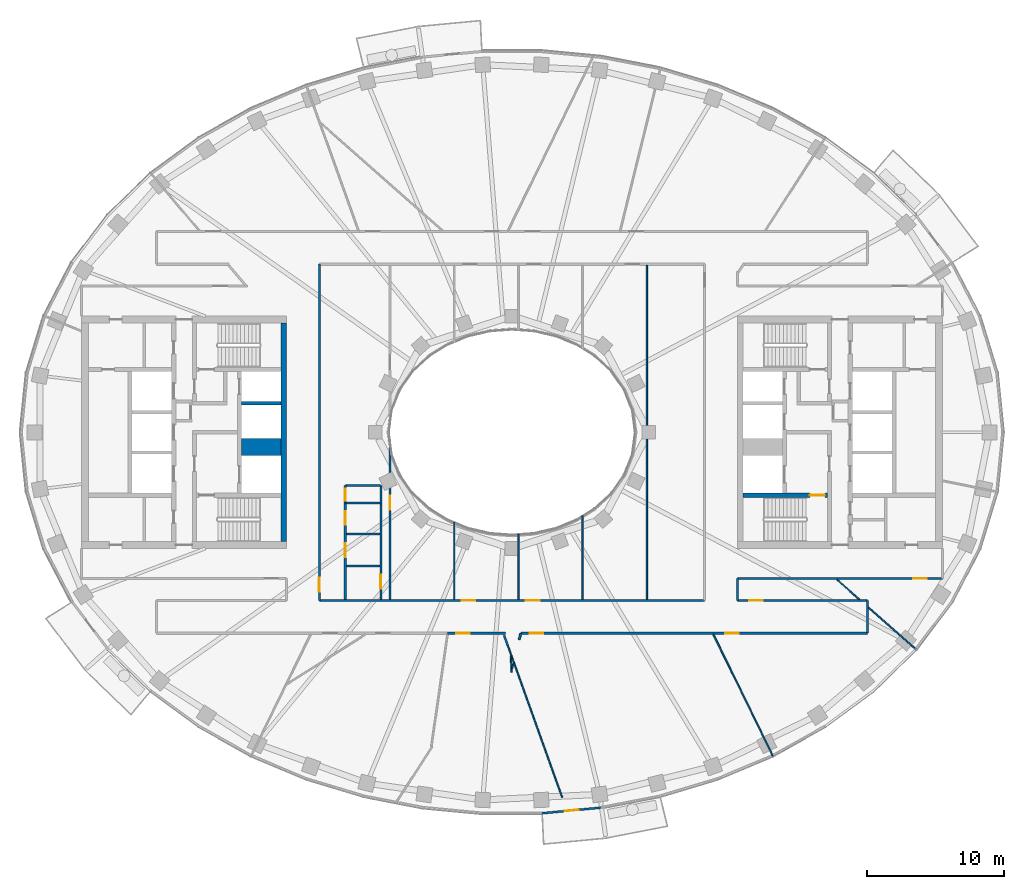
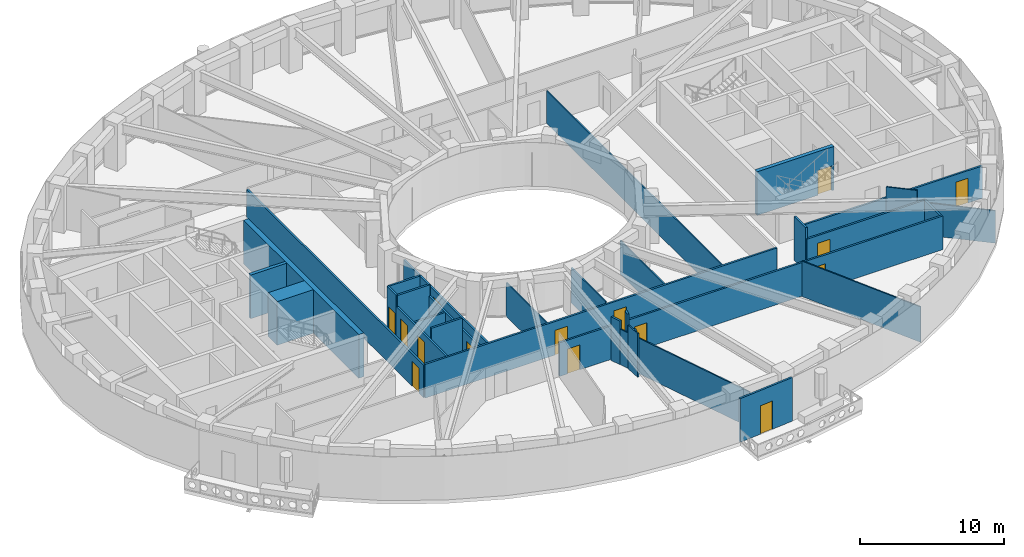
# One storey, part 4 of 16: 34 walls, 15 doors, 15 openings.
"""IFC4 building model written with IfcOpenShell, lengths in metres."""

from ifc_helpers import new_model, si_unit, direction, frame, frame_2d, origin, place, context, subcontext, project, spatial, rectangle, extrude, material, layer, layer_set, type_object, element, fill, save


model = new_model("IFC4")

# Units and contexts
model_context = context("Model", 3, precision=1e-05, world=origin(), true_north=direction((0.0, 1.0)))
body_context = subcontext(model_context, "Body", "Model", "MODEL_VIEW")
ifc_project = project(units=[si_unit("LENGTHUNIT", "METRE"), si_unit("AREAUNIT", "SQUARE_METRE"), si_unit("VOLUMEUNIT", "CUBIC_METRE"), si_unit("PLANEANGLEUNIT", "RADIAN"), si_unit("MASSUNIT", "GRAM", prefix="KILO")], contexts=[model_context])

# Site, building, storey
site_placement = place(None, origin())
site = spatial("IfcSite", under=ifc_project, at=site_placement, CompositionType="ELEMENT")
building_placement = place(site_placement, origin())
building = spatial("IfcBuilding", under=site, at=building_placement, Name="Noorbagh Ring Tower", CompositionType="ELEMENT")
storey_placement = place(building_placement, frame((0.0, 0.0, 245.5)))
storey = spatial("IfcBuildingStorey", under=building, at=storey_placement, Name="L51", CompositionType="ELEMENT", Elevation=245.5)

# Wall, opening, door
ifc_material_1 = material(Name="Gypsum board on steel studs", Category="steel")
ifc_layer_1 = layer(ifc_material_1, 0.14990234375)
ifc_layer_set_1 = layer_set([ifc_layer_1], Name="Gypsum board on steel studs")
wall_type_1 = type_object("IfcWallType", Name="COMPARTMENT PARTITION 150 EI 60", PredefinedType="PARTITIONING", material=ifc_layer_set_1)
wall_1_placement = place(storey_placement, frame((-12.199951171875, -5.159912109375, 0.0), z_axis=(0.0, 0.0, 1.0), x_axis=(0.0, 1.0, 0.0)))
wall_1 = element("IfcWall", 1, at=wall_1_placement, inside=storey, type_object=wall_type_1, Name="L51/wall/P25", PredefinedType="PARTITIONING", context=body_context, shape_type="SweptSolid", body=[
    extrude(rectangle(XDim=1.260009765625, YDim=0.14990234375, at=frame_2d((0.6298828125, 0.0))), origin(), (0.0, 0.0, 1.0), 3.699951171875),
])
opening_1_placement = place(wall_1_placement, frame((0.14990234375, 0.0, 0.0)))
opening_1 = element("IfcOpeningElement", 2, at=opening_1_placement, cuts=wall_1, Name="Opening D4", PredefinedType="OPENING", context=body_context, shape_type="SweptSolid", body=[
    extrude(rectangle(XDim=0.89990234375, YDim=2.10009765625, at=frame_2d((0.449951171875, 1.050048828125))), frame((0.0, 0.0849609375, 0.0), z_axis=(0.0, -1.0, 0.0), x_axis=(1.0, 0.0, 0.0)), (0.0, 0.0, 1.0), 0.169921875),
])
ifc_material_2 = material(Name="Timber, painted", Category="wood")
door_type_1 = type_object("IfcDoorType", Name="DOOR 900 X 2100 FD60", OperationType="SINGLE_SWING_LEFT", PredefinedType="DOOR", material=ifc_material_2)
door_1_placement = place(opening_1_placement, origin())
door_1 = element("IfcDoor", 3, at=door_1_placement, inside=storey, type_object=door_type_1, Name="L51-D05", OperationType="SINGLE_SWING_LEFT", OverallHeight=2.10009765625, OverallWidth=0.89990234375, PredefinedType="DOOR", context=body_context, shape_type="SweptSolid", body=[
    extrude(rectangle(XDim=0.89990234375, YDim=2.10009765625, at=frame_2d((0.449951171875, 1.050048828125))), frame((0.0, 0.02490234375, 0.0), z_axis=(0.0, -1.0, 0.0), x_axis=(1.0, 0.0, 0.0)), (0.0, 0.0, 1.0), 0.050048828125),
])
fill(opening_1, door_1)

# Walls
wall_2_placement = place(storey_placement, frame((-12.199951171875, -5.159912109375, 0.0), z_axis=(0.0, 0.0, 1.0), x_axis=(1.0, 0.0, 0.0)))
element("IfcWall", 4, at=wall_2_placement, inside=storey, type_object=wall_type_1, Name="L51/wall/P26", PredefinedType="PARTITIONING", context=body_context, shape_type="SweptSolid", body=[
    extrude(rectangle(XDim=2.599853515625, YDim=0.14990234375, at=frame_2d((1.2998046875, 0.0))), origin(), (0.0, 0.0, 1.0), 3.699951171875),
])
wall_3_placement = place(storey_placement, frame((-12.199951171875, -3.89990234375, 0.0), z_axis=(0.0, 0.0, 1.0), x_axis=(1.0, 0.0, 0.0)))
element("IfcWall", 5, at=wall_3_placement, inside=storey, type_object=wall_type_1, Name="L51/wall/P27", PredefinedType="PARTITIONING", context=body_context, shape_type="SweptSolid", body=[
    extrude(rectangle(XDim=2.595947265625, YDim=0.14990234375, at=frame_2d((1.2978515625, 0.0))), origin(), (0.0, 0.0, 1.0), 3.699951171875),
])
wall_4_placement = place(storey_placement, frame((-9.60009765625, -5.159912109375, 0.0), z_axis=(0.0, 0.0, 1.0), x_axis=(0.0, 1.0, 0.0)))
element("IfcWall", 6, at=wall_4_placement, inside=storey, type_object=wall_type_1, Name="L51/wall/P30", PredefinedType="PARTITIONING", context=body_context, shape_type="SweptSolid", body=[
    extrude(rectangle(XDim=1.255859375, YDim=0.14990234375, at=frame_2d((0.6279296875, 0.0))), origin(), (0.0, 0.0, 1.0), 3.699951171875),
])
ifc_material_3 = material(Name="Concrete C60/75", Category="concrete")
ifc_layer_2 = layer(ifc_material_3, 1.25)
ifc_layer_set_2 = layer_set([ifc_layer_2], Name="Concrete C60/75")
wall_type_2 = type_object("IfcWallType", Name="CORE-WALL-1250-C60-75-EI120", PredefinedType="SHEAR", material=ifc_layer_set_2)
wall_5_placement = place(storey_placement, frame((-16.89990234375, -1.074951171875, 0.0), z_axis=(0.0, 0.0, 1.0), x_axis=(-1.0, 0.0, 0.0)))
element("IfcWall", 7, at=wall_5_placement, inside=storey, type_object=wall_type_2, Name="Core wall W", PredefinedType="SHEAR", context=body_context, shape_type="SweptSolid", body=[
    extrude(rectangle(XDim=2.900146484375, YDim=1.25, at=frame_2d((1.4501953125, 0.0))), origin(), (0.0, 0.0, 1.0), 3.699951171875),
])
ifc_material_4 = material(Name="Concrete C60/75", Category="concrete")
ifc_layer_3 = layer(ifc_material_4, 0.25)
ifc_layer_set_3 = layer_set([ifc_layer_3], Name="Concrete C60/75")
wall_type_3 = type_object("IfcWallType", Name="CORE-WALL-250-C60-75-EI120", PredefinedType="SHEAR", material=ifc_layer_set_3)
wall_6_placement = place(storey_placement, frame((-16.89990234375, 2.125, 0.0), z_axis=(0.0, 0.0, 1.0), x_axis=(-1.0, 0.0, 0.0)))
element("IfcWall", 8, at=wall_6_placement, inside=storey, type_object=wall_type_3, Name="Core wall W", PredefinedType="SHEAR", context=body_context, shape_type="SweptSolid", body=[
    extrude(rectangle(XDim=2.900146484375, YDim=0.25, at=frame_2d((1.4501953125, 0.0))), origin(), (0.0, 0.0, 1.0), 3.699951171875),
])

# Wall, opening, door
ifc_material_5 = material(Name="Concrete C60/75", Category="concrete")
ifc_layer_4 = layer(ifc_material_5, 0.300048828125)
ifc_layer_set_4 = layer_set([ifc_layer_4], Name="Concrete C60/75")
wall_type_4 = type_object("IfcWallType", Name="CORE-WALL-300-C60-75-EI240", PredefinedType="SHEAR", material=ifc_layer_set_4)
wall_7_placement = place(storey_placement, frame((16.89990234375, -4.60009765625, 0.0), z_axis=(0.0, 0.0, 1.0), x_axis=(1.0, 0.0, 0.0)))
wall_7 = element("IfcWall", 9, at=wall_7_placement, inside=storey, type_object=wall_type_4, Name="Core wall E", PredefinedType="SHEAR", context=body_context, shape_type="SweptSolid", body=[
    extrude(rectangle(XDim=6.18017578125, YDim=0.300048828125, at=frame_2d((3.090087890625, 0.0))), origin(), (0.0, 0.0, 1.0), 3.699951171875),
])
opening_2_placement = place(wall_7_placement, frame((4.89990234375, 0.0, 0.0)))
opening_2 = element("IfcOpeningElement", 10, at=opening_2_placement, cuts=wall_7, Name="Opening L51-CE08", PredefinedType="OPENING", context=body_context, shape_type="SweptSolid", body=[
    extrude(rectangle(XDim=1.10009765625, YDim=2.10009765625, at=frame_2d((0.550048828125, 1.050048828125))), frame((0.0, 0.16015625, 0.0), z_axis=(0.0, -1.0, 0.0), x_axis=(1.0, 0.0, 0.0)), (0.0, 0.0, 1.0), 0.320068359375),
])
ifc_material_6 = material(Name="Steel door leaf", Category="steel")
door_type_2 = type_object("IfcDoorType", Name="CORE-DOOR-DSTAIR", OperationType="SINGLE_SWING_LEFT", PredefinedType="DOOR", material=ifc_material_6)
door_2_placement = place(opening_2_placement, origin())
door_2 = element("IfcDoor", 11, at=door_2_placement, inside=storey, type_object=door_type_2, Name="Stair door ST4 L51-CE08", OperationType="SINGLE_SWING_RIGHT", OverallHeight=2.10009765625, OverallWidth=1.10009765625, PredefinedType="DOOR", context=body_context, shape_type="SweptSolid", body=[
    extrude(rectangle(XDim=1.10009765625, YDim=2.10009765625, at=frame_2d((0.550048828125, 1.050048828125))), frame((0.0, 0.02490234375, 0.0), z_axis=(0.0, -1.0, 0.0), x_axis=(1.0, 0.0, 0.0)), (0.0, 0.0, 1.0), 0.050048828125),
])
fill(opening_2, door_2)

# Wall
ifc_material_7 = material(Name="Concrete C60/75", Category="concrete")
ifc_layer_5 = layer(ifc_material_7, 0.39990234375)
ifc_layer_set_5 = layer_set([ifc_layer_5], Name="Concrete C60/75")
wall_type_5 = type_object("IfcWallType", Name="CORE-WALL-400-C60-75-EI240", PredefinedType="SHEAR", material=ifc_layer_set_5)
wall_8_placement = place(storey_placement, frame((-16.699951171875, -8.0, 0.0), z_axis=(0.0, 0.0, 1.0), x_axis=(0.0, 1.0, 0.0)))
element("IfcWall", 12, at=wall_8_placement, inside=storey, type_object=wall_type_5, Name="Core wall W", PredefinedType="SHEAR", context=body_context, shape_type="SweptSolid", body=[
    extrude(rectangle(XDim=16.0, YDim=0.39990234375, at=frame_2d((8.0, 0.0))), origin(), (0.0, 0.0, 1.0), 3.699951171875),
])

# Wall, opening, door
ifc_material_8 = material(Name="Gypsum board on steel studs", Category="steel")
ifc_layer_6 = layer(ifc_material_8, 0.14990234375)
ifc_layer_set_6 = layer_set([ifc_layer_6], Name="Gypsum board on steel studs")
wall_type_6 = type_object("IfcWallType", Name="CORRIDOR PARTITION 150 EI 30", PredefinedType="PARTITIONING", material=ifc_layer_set_6)
wall_9_placement = place(storey_placement, frame((-14.10009765625, -12.300048828125, 0.0), z_axis=(0.0, 0.0, 1.0), x_axis=(0.0, 1.0, 0.0)))
wall_9 = element("IfcWall", 13, at=wall_9_placement, inside=storey, type_object=wall_type_6, Name="L51/wall/P18", PredefinedType="PARTITIONING", context=body_context, shape_type="SweptSolid", body=[
    extrude(rectangle(XDim=24.60009765625, YDim=0.14990234375, at=frame_2d((12.300048828125, 0.0))), origin(), (0.0, 0.0, 1.0), 2.75),
])
opening_3_placement = place(wall_9_placement, frame((0.64990234375, 0.0, 0.0)))
opening_3 = element("IfcOpeningElement", 14, at=opening_3_placement, cuts=wall_9, Name="Opening D1", PredefinedType="OPENING", context=body_context, shape_type="SweptSolid", body=[
    extrude(rectangle(XDim=1.0, YDim=2.10009765625, at=frame_2d((0.5, 1.050048828125))), frame((0.0, 0.0849609375, 0.0), z_axis=(0.0, -1.0, 0.0), x_axis=(1.0, 0.0, 0.0)), (0.0, 0.0, 1.0), 0.169921875),
])
ifc_material_9 = material(Name="Timber, painted", Category="wood")
door_type_3 = type_object("IfcDoorType", Name="DOOR 1000 X 2100 FD30", OperationType="SINGLE_SWING_LEFT", PredefinedType="DOOR", material=ifc_material_9)
door_3_placement = place(opening_3_placement, origin())
door_3 = element("IfcDoor", 15, at=door_3_placement, inside=storey, type_object=door_type_3, Name="L51-D01", OperationType="SINGLE_SWING_LEFT", OverallHeight=2.10009765625, OverallWidth=1.0, PredefinedType="DOOR", context=body_context, shape_type="SweptSolid", body=[
    extrude(rectangle(XDim=1.0, YDim=2.10009765625, at=frame_2d((0.5, 1.050048828125))), frame((0.0, 0.02490234375, 0.0), z_axis=(0.0, -1.0, 0.0), x_axis=(1.0, 0.0, 0.0)), (0.0, 0.0, 1.0), 0.050048828125),
])
fill(opening_3, door_3)

# Wall, openings, doors
wall_10_placement = place(storey_placement, frame((-14.10009765625, -12.300048828125, 0.0), z_axis=(0.0, 0.0, 1.0), x_axis=(1.0, 0.0, 0.0)))
wall_10 = element("IfcWall", 16, at=wall_10_placement, inside=storey, type_object=wall_type_6, Name="L51/wall/P19", PredefinedType="PARTITIONING", context=body_context, shape_type="SweptSolid", body=[
    extrude(rectangle(XDim=28.2001953125, YDim=0.14990234375, at=frame_2d((14.10009765625, 0.0))), origin(), (0.0, 0.0, 1.0), 2.85009765625),
])
opening_4_placement = place(wall_10_placement, frame((10.419921875, 0.0, 0.0)))
opening_4 = element("IfcOpeningElement", 17, at=opening_4_placement, cuts=wall_10, Name="Opening D1", PredefinedType="OPENING", context=body_context, shape_type="SweptSolid", body=[
    extrude(rectangle(XDim=1.0, YDim=2.10009765625, at=frame_2d((0.5, 1.050048828125))), frame((0.0, 0.0849609375, 0.0), z_axis=(0.0, -1.0, 0.0), x_axis=(1.0, 0.0, 0.0)), (0.0, 0.0, 1.0), 0.169921875),
])
opening_5_placement = place(wall_10_placement, frame((15.1201171875, 0.0, 0.0)))
opening_5 = element("IfcOpeningElement", 18, at=opening_5_placement, cuts=wall_10, Name="Opening D1", PredefinedType="OPENING", context=body_context, shape_type="SweptSolid", body=[
    extrude(rectangle(XDim=1.0, YDim=2.10009765625, at=frame_2d((0.5, 1.050048828125))), frame((0.0, 0.0849609375, 0.0), z_axis=(0.0, -1.0, 0.0), x_axis=(1.0, 0.0, 0.0)), (0.0, 0.0, 1.0), 0.169921875),
])
door_4_placement = place(opening_4_placement, origin())
door_4 = element("IfcDoor", 19, at=door_4_placement, inside=storey, type_object=door_type_3, Name="L51-D24", OperationType="SINGLE_SWING_RIGHT", OverallHeight=2.10009765625, OverallWidth=1.0, PredefinedType="DOOR", context=body_context, shape_type="SweptSolid", body=[
    extrude(rectangle(XDim=1.0, YDim=2.10009765625, at=frame_2d((0.5, 1.050048828125))), frame((0.0, 0.02490234375, 0.0), z_axis=(0.0, -1.0, 0.0), x_axis=(1.0, 0.0, 0.0)), (0.0, 0.0, 1.0), 0.050048828125),
])
fill(opening_4, door_4)
door_5_placement = place(opening_5_placement, origin())
door_5 = element("IfcDoor", 20, at=door_5_placement, inside=storey, type_object=door_type_3, Name="L51-D26", OperationType="SINGLE_SWING_RIGHT", OverallHeight=2.10009765625, OverallWidth=1.0, PredefinedType="DOOR", context=body_context, shape_type="SweptSolid", body=[
    extrude(rectangle(XDim=1.0, YDim=2.10009765625, at=frame_2d((0.5, 1.050048828125))), frame((0.0, 0.02490234375, 0.0), z_axis=(0.0, -1.0, 0.0), x_axis=(1.0, 0.0, 0.0)), (0.0, 0.0, 1.0), 0.050048828125),
])
fill(opening_5, door_5)

wall_11_placement = place(storey_placement, frame((-12.199951171875, -12.22509765625, 0.0), z_axis=(0.0, 0.0, 1.0), x_axis=(0.0, 1.0, 0.0)))
wall_11 = element("IfcWall", 21, at=wall_11_placement, inside=storey, type_object=wall_type_6, Name="L51/wall/P22", PredefinedType="PARTITIONING", context=body_context, shape_type="SweptSolid", body=[
    extrude(rectangle(XDim=7.065185546875, YDim=0.14990234375, at=frame_2d((3.53271484375, 0.0))), origin(), (0.0, 0.0, 1.0), 2.75),
])
opening_6_placement = place(wall_11_placement, frame((3.094970703125, 0.0, 0.0)))
opening_6 = element("IfcOpeningElement", 22, at=opening_6_placement, cuts=wall_11, Name="Opening D3", PredefinedType="OPENING", context=body_context, shape_type="SweptSolid", body=[
    extrude(rectangle(XDim=1.0, YDim=2.10009765625, at=frame_2d((0.5, 1.050048828125))), frame((0.0, 0.0849609375, 0.0), z_axis=(0.0, -1.0, 0.0), x_axis=(1.0, 0.0, 0.0)), (0.0, 0.0, 1.0), 0.169921875),
])
opening_7_placement = place(wall_11_placement, frame((5.447021484375, 0.0, 0.0)))
opening_7 = element("IfcOpeningElement", 23, at=opening_7_placement, cuts=wall_11, Name="Opening D3", PredefinedType="OPENING", context=body_context, shape_type="SweptSolid", body=[
    extrude(rectangle(XDim=1.0, YDim=2.10009765625, at=frame_2d((0.5, 1.050048828125))), frame((0.0, 0.0849609375, 0.0), z_axis=(0.0, -1.0, 0.0), x_axis=(1.0, 0.0, 0.0)), (0.0, 0.0, 1.0), 0.169921875),
])
ifc_material_10 = material(Name="Timber, painted", Category="wood")
door_type_4 = type_object("IfcDoorType", Name="DOOR 1000 X 2100 WC", OperationType="SINGLE_SWING_LEFT", PredefinedType="DOOR", material=ifc_material_10)
door_6_placement = place(opening_6_placement, origin())
door_6 = element("IfcDoor", 24, at=door_6_placement, inside=storey, type_object=door_type_4, Name="L51-D03", OperationType="SINGLE_SWING_LEFT", OverallHeight=2.10009765625, OverallWidth=1.0, PredefinedType="DOOR", context=body_context, shape_type="SweptSolid", body=[
    extrude(rectangle(XDim=1.0, YDim=2.10009765625, at=frame_2d((0.5, 1.050048828125))), frame((0.0, 0.02490234375, 0.0), z_axis=(0.0, -1.0, 0.0), x_axis=(1.0, 0.0, 0.0)), (0.0, 0.0, 1.0), 0.050048828125),
])
fill(opening_6, door_6)
door_7_placement = place(opening_7_placement, origin())
door_7 = element("IfcDoor", 25, at=door_7_placement, inside=storey, type_object=door_type_4, Name="L51-D04", OperationType="SINGLE_SWING_RIGHT", OverallHeight=2.10009765625, OverallWidth=1.0, PredefinedType="DOOR", context=body_context, shape_type="SweptSolid", body=[
    extrude(rectangle(XDim=1.0, YDim=2.10009765625, at=frame_2d((0.5, 1.050048828125))), frame((0.0, 0.02490234375, 0.0), z_axis=(0.0, -1.0, 0.0), x_axis=(1.0, 0.0, 0.0)), (0.0, 0.0, 1.0), 0.050048828125),
])
fill(opening_7, door_7)

# Walls
wall_12_placement = place(storey_placement, frame((-12.125, -9.780029296875, 0.0), z_axis=(0.0, 0.0, 1.0), x_axis=(1.0, 0.0, 0.0)))
element("IfcWall", 26, at=wall_12_placement, inside=storey, type_object=wall_type_6, Name="L51/wall/P23", PredefinedType="PARTITIONING", context=body_context, shape_type="SweptSolid", body=[
    extrude(rectangle(XDim=2.449951171875, YDim=0.14990234375, at=frame_2d((1.22509765625, 0.0))), origin(), (0.0, 0.0, 1.0), 3.699951171875),
])
wall_13_placement = place(storey_placement, frame((-12.125, -7.427978515625, 0.0), z_axis=(0.0, 0.0, 1.0), x_axis=(1.0, 0.0, 0.0)))
element("IfcWall", 27, at=wall_13_placement, inside=storey, type_object=wall_type_6, Name="L51/wall/P24", PredefinedType="PARTITIONING", context=body_context, shape_type="SweptSolid", body=[
    extrude(rectangle(XDim=2.449951171875, YDim=0.14990234375, at=frame_2d((1.22509765625, 0.0))), origin(), (0.0, 0.0, 1.0), 2.75),
])

# Wall, opening, door
wall_14_placement = place(storey_placement, frame((-9.60009765625, -12.22509765625, 0.0), z_axis=(0.0, 0.0, 1.0), x_axis=(0.0, 1.0, 0.0)))
wall_14 = element("IfcWall", 28, at=wall_14_placement, inside=storey, type_object=wall_type_6, Name="L51/wall/P29", PredefinedType="PARTITIONING", context=body_context, shape_type="SweptSolid", body=[
    extrude(rectangle(XDim=7.065185546875, YDim=0.14990234375, at=frame_2d((3.53271484375, 0.0))), origin(), (0.0, 0.0, 1.0), 2.75),
])
opening_8_placement = place(wall_14_placement, frame((0.794921875, 0.0, 0.0)))
opening_8 = element("IfcOpeningElement", 29, at=opening_8_placement, cuts=wall_14, Name="Opening D3", PredefinedType="OPENING", context=body_context, shape_type="SweptSolid", body=[
    extrude(rectangle(XDim=1.0, YDim=2.10009765625, at=frame_2d((0.5, 1.050048828125))), frame((0.0, 0.0849609375, 0.0), z_axis=(0.0, -1.0, 0.0), x_axis=(1.0, 0.0, 0.0)), (0.0, 0.0, 1.0), 0.169921875),
])
door_8_placement = place(opening_8_placement, origin())
door_8 = element("IfcDoor", 30, at=door_8_placement, inside=storey, type_object=door_type_4, Name="L51-D02", OperationType="SINGLE_SWING_RIGHT", OverallHeight=2.10009765625, OverallWidth=1.0, PredefinedType="DOOR", context=body_context, shape_type="SweptSolid", body=[
    extrude(rectangle(XDim=1.0, YDim=2.10009765625, at=frame_2d((0.5, 1.050048828125))), frame((0.0, 0.02490234375, 0.0), z_axis=(0.0, -1.0, 0.0), x_axis=(1.0, 0.0, 0.0)), (0.0, 0.0, 1.0), 0.050048828125),
])
fill(opening_8, door_8)

wall_15_placement = place(storey_placement, frame((-8.929931640625, -12.22509765625, 0.0), z_axis=(0.0, 0.0, 1.0), x_axis=(0.0, 1.0, 0.0)))
wall_15 = element("IfcWall", 31, at=wall_15_placement, inside=storey, type_object=wall_type_6, Name="L51/wall/P31", PredefinedType="PARTITIONING", context=body_context, shape_type="SweptSolid", body=[
    extrude(rectangle(XDim=11.70703125, YDim=0.14990234375, at=frame_2d((5.853515625, 0.0))), origin(), (0.0, 0.0, 1.0), 2.75),
])
opening_9_placement = place(wall_15_placement, frame((6.574951171875, 0.0, 0.0)))
opening_9 = element("IfcOpeningElement", 32, at=opening_9_placement, cuts=wall_15, Name="Opening D1", PredefinedType="OPENING", context=body_context, shape_type="SweptSolid", body=[
    extrude(rectangle(XDim=1.0, YDim=2.10009765625, at=frame_2d((0.5, 1.050048828125))), frame((0.0, 0.0849609375, 0.0), z_axis=(0.0, -1.0, 0.0), x_axis=(1.0, 0.0, 0.0)), (0.0, 0.0, 1.0), 0.169921875),
])
door_9_placement = place(opening_9_placement, origin())
door_9 = element("IfcDoor", 33, at=door_9_placement, inside=storey, type_object=door_type_3, Name="L51-D22", OperationType="SINGLE_SWING_RIGHT", OverallHeight=2.10009765625, OverallWidth=1.0, PredefinedType="DOOR", context=body_context, shape_type="SweptSolid", body=[
    extrude(rectangle(XDim=1.0, YDim=2.10009765625, at=frame_2d((0.5, 1.050048828125))), frame((0.0, 0.02490234375, 0.0), z_axis=(0.0, -1.0, 0.0), x_axis=(1.0, 0.0, 0.0)), (0.0, 0.0, 1.0), 0.050048828125),
])
fill(opening_9, door_9)

wall_16_placement = place(storey_placement, frame((-4.705078125, -14.699951171875, 0.0), z_axis=(0.0, 0.0, 1.0), x_axis=(1.0, 0.0, 0.0)))
wall_16 = element("IfcWall", 34, at=wall_16_placement, inside=storey, type_object=wall_type_6, Name="L51/wall/P35", PredefinedType="PARTITIONING", context=body_context, shape_type="SweptSolid", body=[
    extrude(rectangle(XDim=4.212158203125, YDim=0.14990234375, at=frame_2d((2.10595703125, 0.0))), origin(), (0.0, 0.0, 1.0), 2.85009765625),
])
opening_10_placement = place(wall_16_placement, frame((0.6298828125, 0.0, 0.0)))
opening_10 = element("IfcOpeningElement", 35, at=opening_10_placement, cuts=wall_16, Name="Opening D1", PredefinedType="OPENING", context=body_context, shape_type="SweptSolid", body=[
    extrude(rectangle(XDim=1.0, YDim=2.10009765625, at=frame_2d((0.5, 1.050048828125))), frame((0.0, 0.0849609375, 0.0), z_axis=(0.0, -1.0, 0.0), x_axis=(1.0, 0.0, 0.0)), (0.0, 0.0, 1.0), 0.169921875),
])
door_10_placement = place(opening_10_placement, origin())
door_10 = element("IfcDoor", 36, at=door_10_placement, inside=storey, type_object=door_type_3, Name="L51-D13", OperationType="SINGLE_SWING_LEFT", OverallHeight=2.10009765625, OverallWidth=1.0, PredefinedType="DOOR", context=body_context, shape_type="SweptSolid", body=[
    extrude(rectangle(XDim=1.0, YDim=2.10009765625, at=frame_2d((0.5, 1.050048828125))), frame((0.0, 0.02490234375, 0.0), z_axis=(0.0, -1.0, 0.0), x_axis=(1.0, 0.0, 0.0)), (0.0, 0.0, 1.0), 0.050048828125),
])
fill(opening_10, door_10)

# Walls
wall_17_placement = place(storey_placement, frame((-0.5810546875, -14.847900390625, 0.0), z_axis=(0.0, 0.0, 1.0), x_axis=(0.338772689559, -0.940868250505, 0.0)))
element("IfcWall", 37, at=wall_17_placement, inside=storey, type_object=wall_type_6, Name="L51/wall/P38", PredefinedType="PARTITIONING", context=body_context, shape_type="SweptSolid", body=[
    extrude(rectangle(XDim=0.812255859375, YDim=0.14990234375, at=frame_2d((0.40625, 0.0))), origin(), (0.0, 0.0, 1.0), 3.699951171875),
])
wall_18_placement = place(storey_placement, frame((0.52490234375, -15.1689453125, 0.0), z_axis=(0.0, 0.0, 1.0), x_axis=(0.239131424565, 0.970987209898, 0.0)))
element("IfcWall", 38, at=wall_18_placement, inside=storey, type_object=wall_type_6, Name="L51/wall/P46", PredefinedType="PARTITIONING", context=body_context, shape_type="SweptSolid", body=[
    extrude(rectangle(XDim=0.47265625, YDim=0.14990234375, at=frame_2d((0.236328125, 0.0))), origin(), (0.0, 0.0, 1.0), 3.699951171875),
])

# Wall, openings, doors
wall_19_placement = place(storey_placement, frame((0.64111328125, -14.699951171875, 0.0), z_axis=(0.0, 0.0, 1.0), x_axis=(1.0, 0.0, 0.0)))
wall_19 = element("IfcWall", 39, at=wall_19_placement, inside=storey, type_object=wall_type_6, Name="L51/wall/P47", PredefinedType="PARTITIONING", context=body_context, shape_type="SweptSolid", body=[
    extrude(rectangle(XDim=25.35888671875, YDim=0.14990234375, at=frame_2d((12.679443359375, 0.0))), origin(), (0.0, 0.0, 1.0), 2.85009765625),
])
opening_11_placement = place(wall_19_placement, frame((0.64990234375, 0.0, 0.0)))
opening_11 = element("IfcOpeningElement", 40, at=opening_11_placement, cuts=wall_19, Name="Opening D1", PredefinedType="OPENING", context=body_context, shape_type="SweptSolid", body=[
    extrude(rectangle(XDim=1.0, YDim=2.10009765625, at=frame_2d((0.5, 1.050048828125))), frame((0.0, 0.0849609375, 0.0), z_axis=(0.0, -1.0, 0.0), x_axis=(1.0, 0.0, 0.0)), (0.0, 0.0, 1.0), 0.169921875),
])
opening_12_placement = place(wall_19_placement, frame((14.951904296875, 0.0, 0.0)))
opening_12 = element("IfcOpeningElement", 41, at=opening_12_placement, cuts=wall_19, Name="Opening D1", PredefinedType="OPENING", context=body_context, shape_type="SweptSolid", body=[
    extrude(rectangle(XDim=1.0, YDim=2.10009765625, at=frame_2d((0.5, 1.050048828125))), frame((0.0, 0.0849609375, 0.0), z_axis=(0.0, -1.0, 0.0), x_axis=(1.0, 0.0, 0.0)), (0.0, 0.0, 1.0), 0.169921875),
])
door_11_placement = place(opening_11_placement, origin())
door_11 = element("IfcDoor", 42, at=door_11_placement, inside=storey, type_object=door_type_3, Name="L51-D15", OperationType="SINGLE_SWING_LEFT", OverallHeight=2.10009765625, OverallWidth=1.0, PredefinedType="DOOR", context=body_context, shape_type="SweptSolid", body=[
    extrude(rectangle(XDim=1.0, YDim=2.10009765625, at=frame_2d((0.5, 1.050048828125))), frame((0.0, 0.02490234375, 0.0), z_axis=(0.0, -1.0, 0.0), x_axis=(1.0, 0.0, 0.0)), (0.0, 0.0, 1.0), 0.050048828125),
])
fill(opening_11, door_11)
door_12_placement = place(opening_12_placement, origin())
door_12 = element("IfcDoor", 43, at=door_12_placement, inside=storey, type_object=door_type_3, Name="L51-D17", OperationType="SINGLE_SWING_LEFT", OverallHeight=2.10009765625, OverallWidth=1.0, PredefinedType="DOOR", context=body_context, shape_type="SweptSolid", body=[
    extrude(rectangle(XDim=1.0, YDim=2.10009765625, at=frame_2d((0.5, 1.050048828125))), frame((0.0, 0.02490234375, 0.0), z_axis=(0.0, -1.0, 0.0), x_axis=(1.0, 0.0, 0.0)), (0.0, 0.0, 1.0), 0.050048828125),
])
fill(opening_12, door_12)

# Wall
wall_20_placement = place(storey_placement, frame((16.5, -12.300048828125, 0.0), z_axis=(0.0, 0.0, 1.0), x_axis=(0.0, 1.0, 0.0)))
element("IfcWall", 44, at=wall_20_placement, inside=storey, type_object=wall_type_6, Name="L51/wall/P55", PredefinedType="PARTITIONING", context=body_context, shape_type="SweptSolid", body=[
    extrude(rectangle(XDim=1.60009765625, YDim=0.14990234375, at=frame_2d((0.800048828125, 0.0))), origin(), (0.0, 0.0, 1.0), 3.699951171875),
])

# Wall, opening, door
wall_21_placement = place(storey_placement, frame((16.5, -12.300048828125, 0.0), z_axis=(0.0, 0.0, 1.0), x_axis=(1.0, 0.0, 0.0)))
wall_21 = element("IfcWall", 45, at=wall_21_placement, inside=storey, type_object=wall_type_6, Name="L51/wall/P56", PredefinedType="PARTITIONING", context=body_context, shape_type="SweptSolid", body=[
    extrude(rectangle(XDim=9.5, YDim=0.14990234375, at=frame_2d((4.75, 0.0))), origin(), (0.0, 0.0, 1.0), 2.75),
])
opening_13_placement = place(wall_21_placement, frame((0.85595703125, 0.0, 0.0)))
opening_13 = element("IfcOpeningElement", 46, at=opening_13_placement, cuts=wall_21, Name="Opening D1", PredefinedType="OPENING", context=body_context, shape_type="SweptSolid", body=[
    extrude(rectangle(XDim=1.0, YDim=2.10009765625, at=frame_2d((0.5, 1.050048828125))), frame((0.0, 0.0849609375, 0.0), z_axis=(0.0, -1.0, 0.0), x_axis=(1.0, 0.0, 0.0)), (0.0, 0.0, 1.0), 0.169921875),
])
door_13_placement = place(opening_13_placement, origin())
door_13 = element("IfcDoor", 47, at=door_13_placement, inside=storey, type_object=door_type_3, Name="L51-D18", OperationType="SINGLE_SWING_RIGHT", OverallHeight=2.10009765625, OverallWidth=1.0, PredefinedType="DOOR", context=body_context, shape_type="SweptSolid", body=[
    extrude(rectangle(XDim=1.0, YDim=2.10009765625, at=frame_2d((0.5, 1.050048828125))), frame((0.0, 0.02490234375, 0.0), z_axis=(0.0, -1.0, 0.0), x_axis=(1.0, 0.0, 0.0)), (0.0, 0.0, 1.0), 0.050048828125),
])
fill(opening_13, door_13)

wall_22_placement = place(storey_placement, frame((16.5, -10.699951171875, 0.0), z_axis=(0.0, 0.0, 1.0), x_axis=(1.0, 0.0, 0.0)))
wall_22 = element("IfcWall", 48, at=wall_22_placement, inside=storey, type_object=wall_type_6, Name="L51/wall/P57", PredefinedType="PARTITIONING", context=body_context, shape_type="SweptSolid", body=[
    extrude(rectangle(XDim=15.0, YDim=0.14990234375, at=frame_2d((7.5, 0.0))), origin(), (0.0, 0.0, 1.0), 2.75),
])
opening_14_placement = place(wall_22_placement, frame((12.846923828125, 0.0, 0.0)))
opening_14 = element("IfcOpeningElement", 49, at=opening_14_placement, cuts=wall_22, Name="Opening D1", PredefinedType="OPENING", context=body_context, shape_type="SweptSolid", body=[
    extrude(rectangle(XDim=1.0, YDim=2.10009765625, at=frame_2d((0.5, 1.050048828125))), frame((0.0, 0.0849609375, 0.0), z_axis=(0.0, -1.0, 0.0), x_axis=(1.0, 0.0, 0.0)), (0.0, 0.0, 1.0), 0.169921875),
])
door_14_placement = place(opening_14_placement, origin())
door_14 = element("IfcDoor", 50, at=door_14_placement, inside=storey, type_object=door_type_3, Name="L51-D20", OperationType="SINGLE_SWING_RIGHT", OverallHeight=2.10009765625, OverallWidth=1.0, PredefinedType="DOOR", context=body_context, shape_type="SweptSolid", body=[
    extrude(rectangle(XDim=1.0, YDim=2.10009765625, at=frame_2d((0.5, 1.050048828125))), frame((0.0, 0.02490234375, 0.0), z_axis=(0.0, -1.0, 0.0), x_axis=(1.0, 0.0, 0.0)), (0.0, 0.0, 1.0), 0.050048828125),
])
fill(opening_14, door_14)

# Wall
wall_23_placement = place(storey_placement, frame((26.0, -14.699951171875, 0.0), z_axis=(0.0, 0.0, 1.0), x_axis=(0.0, 1.0, 0.0)))
element("IfcWall", 51, at=wall_23_placement, inside=storey, type_object=wall_type_6, Name="L51/wall/P64", PredefinedType="PARTITIONING", context=body_context, shape_type="SweptSolid", body=[
    extrude(rectangle(XDim=2.39990234375, YDim=0.14990234375, at=frame_2d((1.199951171875, 0.0))), origin(), (0.0, 0.0, 1.0), 2.75),
])

# Wall, opening, door
ifc_material_11 = material(Name="Insulated aluminium clad panel", Category="aluminium")
ifc_layer_7 = layer(ifc_material_11, 0.14990234375)
ifc_layer_set_7 = layer_set([ifc_layer_7], Name="Insulated aluminium clad panel")
wall_type_7 = type_object("IfcWallType", Name="ENV-WALL-DOOR", PredefinedType="STANDARD", material=ifc_layer_set_7)
wall_24_placement = place(storey_placement, frame((2.166259765625, -27.875244140625, 0.0), z_axis=(0.0, 0.0, 1.0), x_axis=(0.995473879823, 0.095035543824, 0.0)))
wall_24 = element("IfcWall", 52, at=wall_24_placement, inside=storey, type_object=wall_type_7, Name="Balcony door wall chord 36", PredefinedType="STANDARD", context=body_context, shape_type="SweptSolid", body=[
    extrude(rectangle(XDim=4.42626953125, YDim=0.14990234375, at=frame_2d((2.213134765625, 0.0))), origin(), (0.0, 0.0, 1.0), 3.699951171875),
])
opening_15_placement = place(wall_24_placement, frame((1.713134765625, 0.0, 0.0)))
opening_15 = element("IfcOpeningElement", 53, at=opening_15_placement, cuts=wall_24, Name="Opening D-BL", PredefinedType="OPENING", context=body_context, shape_type="SweptSolid", body=[
    extrude(rectangle(XDim=1.0, YDim=2.39990234375, at=frame_2d((0.5, 1.199951171875))), frame((0.0, 0.0849609375, 0.0), z_axis=(0.0, -1.0, 0.0), x_axis=(1.0, 0.0, 0.0)), (0.0, 0.0, 1.0), 0.169921875),
])
ifc_material_12 = material(Name="Aluminium and glass", Category="aluminium")
door_type_5 = type_object("IfcDoorType", Name="ENV-DOOR-BALCONY", OperationType="SINGLE_SWING_LEFT", PredefinedType="DOOR", material=ifc_material_12)
door_15_placement = place(opening_15_placement, origin())
door_15 = element("IfcDoor", 54, at=door_15_placement, inside=storey, type_object=door_type_5, Name="Balcony door chord 36", OperationType="SINGLE_SWING_RIGHT", OverallHeight=2.39990234375, OverallWidth=1.0, PredefinedType="DOOR", context=body_context, shape_type="SweptSolid", body=[
    extrude(rectangle(XDim=1.0, YDim=2.39990234375, at=frame_2d((0.5, 1.199951171875))), frame((0.0, 0.02490234375, 0.0), z_axis=(0.0, -1.0, 0.0), x_axis=(1.0, 0.0, 0.0)), (0.0, 0.0, 1.0), 0.050048828125),
])
fill(opening_15, door_15)

# Walls
ifc_material_13 = material(Name="Gypsum board on steel studs", Category="steel")
ifc_layer_8 = layer(ifc_material_13, 0.10009765625)
ifc_layer_set_8 = layer_set([ifc_layer_8], Name="Gypsum board on steel studs")
wall_type_8 = type_object("IfcWallType", Name="PARTITION 100 GYPSUM", PredefinedType="PARTITIONING", material=ifc_layer_set_8)
wall_25_placement = place(storey_placement, frame((-4.22998046875, -12.22509765625, 0.0), z_axis=(0.0, 0.0, 1.0), x_axis=(0.0, 1.0, 0.0)))
element("IfcWall", 55, at=wall_25_placement, inside=storey, type_object=wall_type_8, Name="L51/wall/P36", PredefinedType="PARTITIONING", context=body_context, shape_type="SweptSolid", body=[
    extrude(rectangle(XDim=5.633056640625, YDim=0.10009765625, at=frame_2d((2.81640625, 0.0))), origin(), (0.0, 0.0, 1.0), 2.85009765625),
])
wall_26_placement = place(storey_placement, frame((-0.306884765625, -15.612060546875, 0.0), z_axis=(0.0, 0.0, 1.0), x_axis=(0.337825233783, -0.941208856428, 0.0)))
element("IfcWall", 56, at=wall_26_placement, inside=storey, type_object=wall_type_8, Name="L51/wall/P40", PredefinedType="PARTITIONING", context=body_context, shape_type="SweptSolid", body=[
    extrude(rectangle(XDim=11.786865234375, YDim=0.10009765625, at=frame_2d((5.8935546875, 0.0))), origin(), (0.0, 0.0, 1.0), 3.0),
])
wall_27_placement = place(storey_placement, frame((-0.083984375, -16.35595703125, 0.0), z_axis=(0.0, 0.0, 1.0), x_axis=(0.047967320325, -0.998848905581, 0.0)))
element("IfcWall", 57, at=wall_27_placement, inside=storey, type_object=wall_type_8, Name="L51/wall/P41", PredefinedType="PARTITIONING", context=body_context, shape_type="SweptSolid", body=[
    extrude(rectangle(XDim=1.21142578125, YDim=0.10009765625, at=frame_2d((0.605712890625, 0.0))), origin(), (0.0, 0.0, 1.0), 3.699951171875),
])
wall_28_placement = place(storey_placement, frame((0.001953125, -17.283935546875, 0.0), z_axis=(0.0, 0.0, 1.0), x_axis=(0.240121592304, 0.970742819139, 0.0)))
element("IfcWall", 58, at=wall_28_placement, inside=storey, type_object=wall_type_8, Name="L51/wall/P42", PredefinedType="PARTITIONING", context=body_context, shape_type="SweptSolid", body=[
    extrude(rectangle(XDim=0.404541015625, YDim=0.10009765625, at=frame_2d((0.2021484375, 0.0))), origin(), (0.0, 0.0, 1.0), 3.699951171875),
])
wall_29_placement = place(storey_placement, frame((0.469970703125, -12.22509765625, 0.0), z_axis=(0.0, 0.0, 1.0), x_axis=(0.0, 1.0, 0.0)))
element("IfcWall", 59, at=wall_29_placement, inside=storey, type_object=wall_type_8, Name="L51/wall/P44", PredefinedType="PARTITIONING", context=body_context, shape_type="SweptSolid", body=[
    extrude(rectangle(XDim=4.756103515625, YDim=0.10009765625, at=frame_2d((2.3779296875, 0.0))), origin(), (0.0, 0.0, 1.0), 3.0),
])
wall_30_placement = place(storey_placement, frame((5.169921875, -12.22509765625, 0.0), z_axis=(0.0, 0.0, 1.0), x_axis=(0.0, 1.0, 0.0)))
element("IfcWall", 60, at=wall_30_placement, inside=storey, type_object=wall_type_8, Name="L51/wall/P48", PredefinedType="PARTITIONING", context=body_context, shape_type="SweptSolid", body=[
    extrude(rectangle(XDim=6.1201171875, YDim=0.10009765625, at=frame_2d((3.06005859375, 0.0))), origin(), (0.0, 0.0, 1.0), 2.85009765625),
])
wall_31_placement = place(storey_placement, frame((9.8701171875, -12.22509765625, 0.0), z_axis=(0.0, 0.0, 1.0), x_axis=(0.0, 1.0, 0.0)))
element("IfcWall", 61, at=wall_31_placement, inside=storey, type_object=wall_type_8, Name="L51/wall/P52", PredefinedType="PARTITIONING", context=body_context, shape_type="SweptSolid", body=[
    extrude(rectangle(XDim=24.4501953125, YDim=0.10009765625, at=frame_2d((12.22509765625, 0.0))), origin(), (0.0, 0.0, 1.0), 2.75),
])
wall_32_placement = place(storey_placement, frame((14.72998046875, -14.77490234375, 0.0), z_axis=(0.0, 0.0, 1.0), x_axis=(0.439200418971, -0.898389109448, 0.0)))
element("IfcWall", 62, at=wall_32_placement, inside=storey, type_object=wall_type_8, Name="L51/wall/P54", PredefinedType="PARTITIONING", context=body_context, shape_type="SweptSolid", body=[
    extrude(rectangle(XDim=9.91796875, YDim=0.10009765625, at=frame_2d((4.958984375, 0.0))), origin(), (0.0, 0.0, 1.0), 3.0),
])
wall_33_placement = place(storey_placement, frame((23.784912109375, -10.778076171875, 0.0), z_axis=(0.0, 0.0, 1.0), x_axis=(0.749173971072, -0.662373279253, 0.0)))
element("IfcWall", 63, at=wall_33_placement, inside=storey, type_object=wall_type_8, Name="L51/wall/P63", PredefinedType="PARTITIONING", context=body_context, shape_type="SweptSolid", body=[
    extrude(rectangle(XDim=2.179931640625, YDim=0.10009765625, at=frame_2d((1.08984375, 0.0))), origin(), (0.0, 0.0, 1.0), 3.699951171875),
])
wall_34_placement = place(storey_placement, frame((26.074951171875, -12.802978515625, 0.0), z_axis=(0.0, 0.0, 1.0), x_axis=(0.748882694597, -0.662702580147, 0.0)))
element("IfcWall", 64, at=wall_34_placement, inside=storey, type_object=wall_type_8, Name="L51/wall/P65", PredefinedType="PARTITIONING", context=body_context, shape_type="SweptSolid", body=[
    extrude(rectangle(XDim=4.665771484375, YDim=0.10009765625, at=frame_2d((2.3330078125, 0.0))), origin(), (0.0, 0.0, 1.0), 2.75),
])

save(model, "model.ifc")
